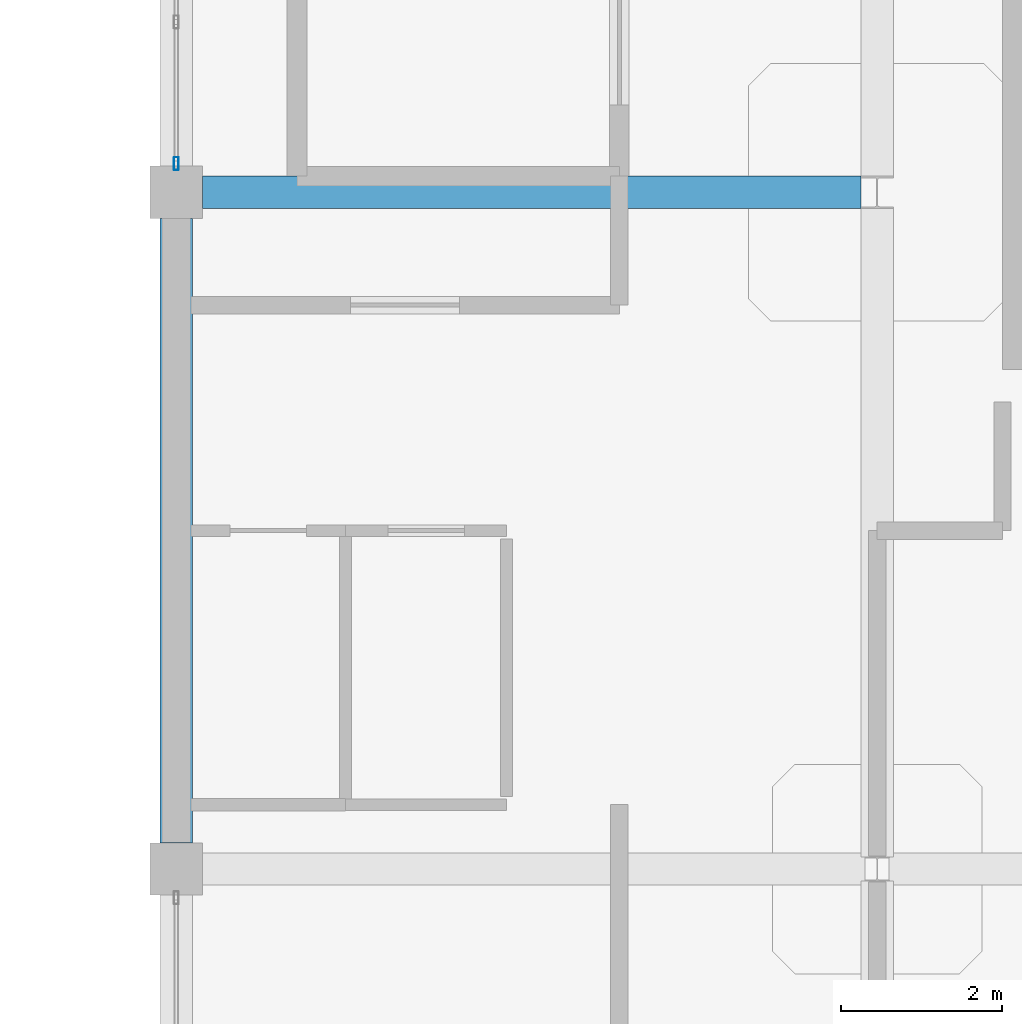
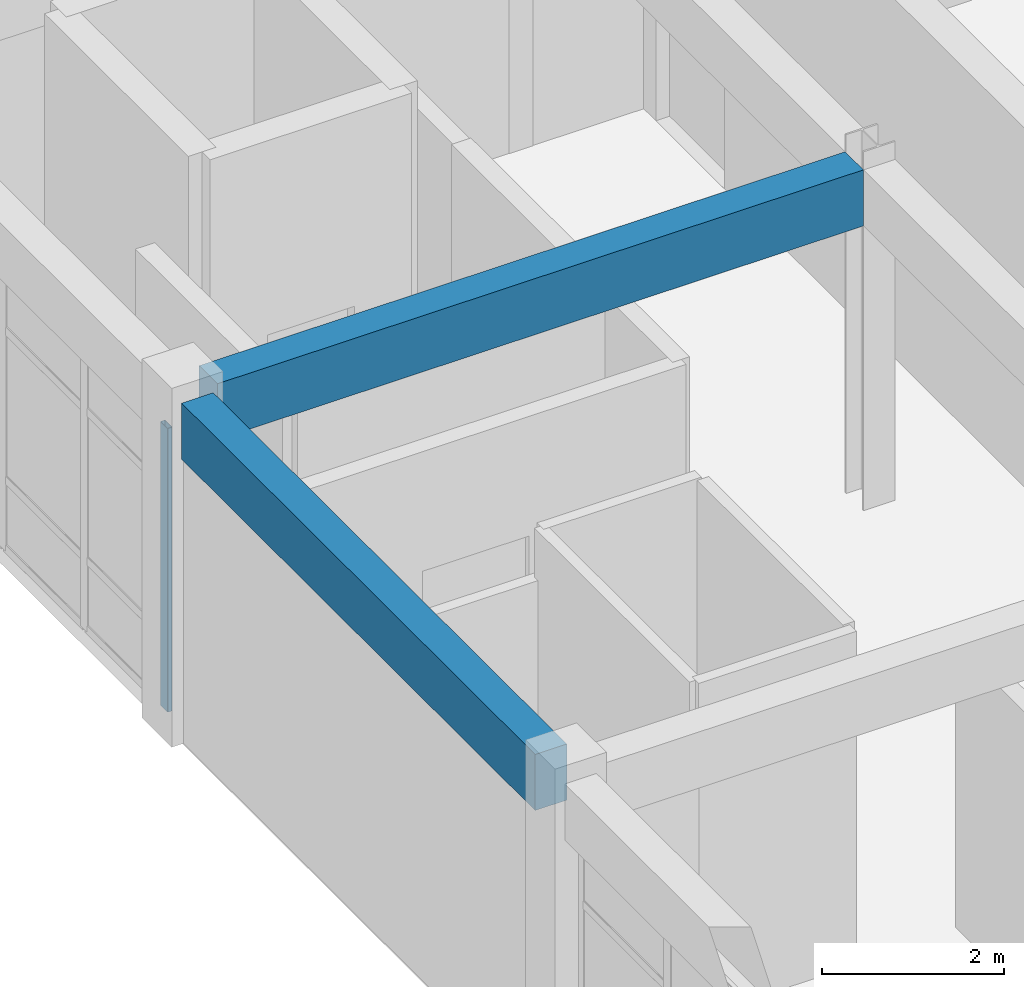
# One storey, part 26 of 41: 2 beams, 1 member, 1 element without a shape of its own.
"""IFC4 building model written with IfcOpenShell, lengths in metres."""

from ifc_helpers import new_model, si_unit, derived_unit, direction, frame, origin, origin_2d, place, context, subcontext, project, spatial, rectangle, hollow_rectangle, extrude, material, layer, layer_set, material_profile, profile_set, type_object, element, aggregate, save


model = new_model("IFC4")

# Units and contexts
model_context = context("Model", 3, precision=1e-05, world=origin(), true_north=direction((0.0, 1.0)))
body_context = subcontext(model_context, "Body", "Model", "MODEL_VIEW")
ifc_project = project(units=[si_unit("LENGTHUNIT", "METRE"), si_unit("AREAUNIT", "SQUARE_METRE"), si_unit("VOLUMEUNIT", "CUBIC_METRE"), si_unit("PLANEANGLEUNIT", "RADIAN"), si_unit("MASSUNIT", "GRAM", prefix="KILO"), derived_unit("THERMALTRANSMITTANCEUNIT", [(si_unit("MASSUNIT", "GRAM", prefix="KILO"), 1), (si_unit("TIMEUNIT", "SECOND"), -3), (si_unit("THERMODYNAMICTEMPERATUREUNIT", "KELVIN"), -1)])], contexts=[model_context])

# Site, building, storey
site_placement = place(None, origin())
site = spatial("IfcSite", under=ifc_project, at=site_placement, CompositionType="ELEMENT")
building_placement = place(site_placement, origin())
building = spatial("IfcBuilding", under=site, at=building_placement, Name="Qinzheling Arcade Emporium", CompositionType="ELEMENT")
storey_placement = place(building_placement, frame((0.0, 0.0, 36.300048828125)))
storey = spatial("IfcBuildingStorey", under=building, at=storey_placement, Name="L08", CompositionType="ELEMENT", Elevation=36.300048828125)

# Curtain wall, member
ifc_material_1 = material(Name="Anodised aluminium and solar-control double glazing", Category="aluminium")
ifc_layer = layer(ifc_material_1, 0.159912109375, Name="Anodised aluminium and solar-control double glazing", Category="aluminium")
ifc_layer_set = layer_set([ifc_layer], Name="Anodised aluminium and solar-control double glazing")
curtain_wall_type = type_object("IfcCurtainWallType", Name="Arcade Portal Glazed Curtain Wall", PredefinedType="NOTDEFINED", material=ifc_layer_set)
curtain_wall_placement = place(storey_placement, origin())
curtain_wall = element("IfcCurtainWall", 1, at=curtain_wall_placement, inside=storey, type_object=curtain_wall_type, Name="Curtain Wall CW-L08-447", PredefinedType="NOTDEFINED")
ifc_material_2 = material(Name="Anodised aluminium 6063-T6", Category="aluminium")
ifc_material_profile_1 = material_profile(ifc_material_2, hollow_rectangle(XDim=0.06005859375, YDim=0.159912109375, WallThickness=0.00390625, InnerFilletRadius=0.00390625, OuterFilletRadius=0.008056640625, at=origin_2d()), Name="RHS 160x60x4", Category="aluminium")
ifc_profile_set_1 = profile_set([ifc_material_profile_1], Name="Anodised aluminium 6063-T6")
member_type = type_object("IfcMemberType", Name="Curtain Wall Mullion RHS160x60", PredefinedType="MULLION", material=ifc_profile_set_1)
member_placement = place(storey_placement, frame((104.39990234375, 99.35693359375, 0.0), z_axis=(0.0, 0.0, 1.0), x_axis=(-1.0, 0.0, 0.0)))
member = element("IfcMember", 2, at=member_placement, type_object=member_type, Name="CW05 mullion 1", PredefinedType="MULLION", context=body_context, shape_type="SweptSolid", body=[
    extrude(hollow_rectangle(XDim=0.06005859375, YDim=0.159912109375, WallThickness=0.00390625, InnerFilletRadius=0.00390625, OuterFilletRadius=0.008056640625, at=origin_2d()), origin(), (0.0, 0.0, 1.0), 3.794921875),
])
aggregate(curtain_wall, [member])

# Beams
ifc_material_3 = material(Name="Concrete C40", Category="concrete")
ifc_material_profile_2 = material_profile(ifc_material_3, rectangle(XDim=0.39990234375, YDim=0.75, at=origin_2d()), Name="RC 400x750", Category="concrete")
ifc_profile_set_2 = profile_set([ifc_material_profile_2], Name="Concrete C40")
beam_type = type_object("IfcBeamType", Name="RC Interior Tie Beam 400x750 C40", PredefinedType="BEAM", material=ifc_profile_set_2)
beam_1_placement = place(storey_placement, frame((104.72509765625, 99.0, 4.18505859375), z_axis=(1.0, 0.0, 0.0), x_axis=(0.0, 1.0, 0.0)))
element("IfcBeam", 3, at=beam_1_placement, inside=storey, type_object=beam_type, Name="Beam BM-L08-X-M-13", PredefinedType="BEAM", context=body_context, shape_type="SweptSolid", body=[
    extrude(rectangle(XDim=0.39990234375, YDim=0.75, at=origin_2d()), origin(), (0.0, 0.0, 1.0), 8.1748046875),
])
beam_2_placement = place(storey_placement, frame((104.39990234375, 90.925048828125, 4.18505859375), z_axis=(0.0, 1.0, 0.0), x_axis=(-1.0, 0.0, 0.0)))
element("IfcBeam", 4, at=beam_2_placement, inside=storey, type_object=beam_type, Name="Beam BM-L08-Y-13-L", PredefinedType="BEAM", context=body_context, shape_type="SweptSolid", body=[
    extrude(rectangle(XDim=0.39990234375, YDim=0.75, at=origin_2d()), origin(), (0.0, 0.0, 1.0), 7.75),
])

save(model, "model.ifc")
